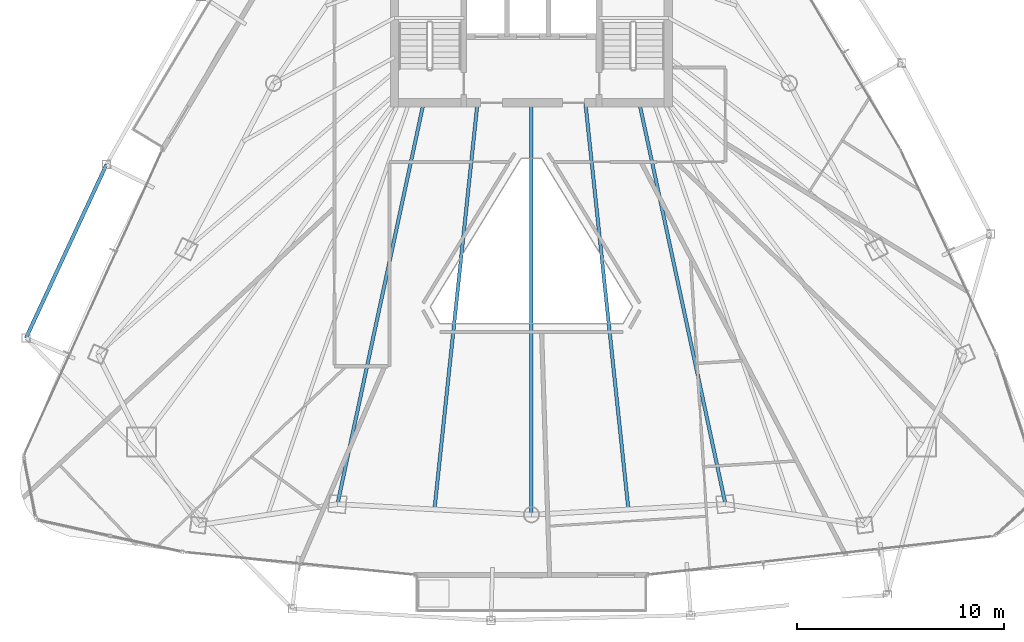
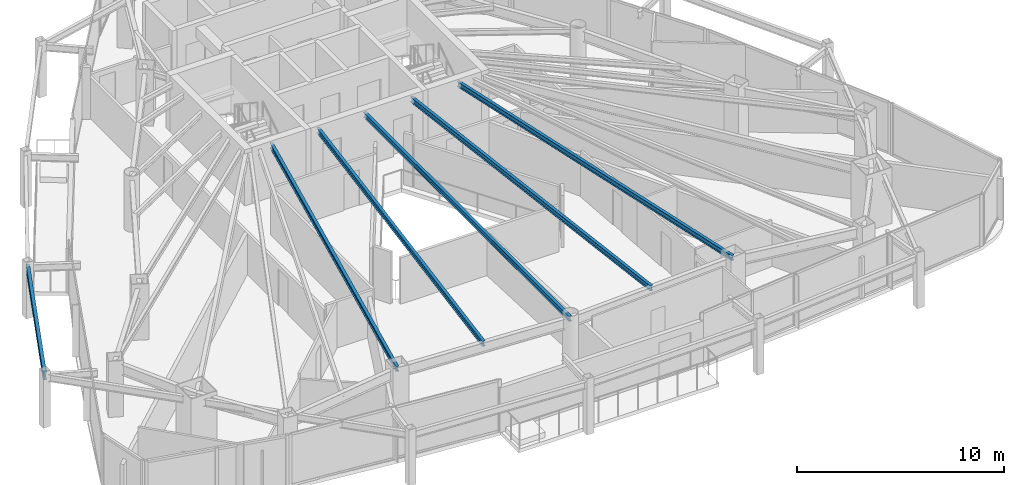
# One storey, part 9 of 29: 6 beams.
"""IFC4 building model written with IfcOpenShell, lengths in metres."""

import ifcopenshell
import ifcopenshell.guid

model = None  # the IFC model being written
_history = None  # IfcOwnerHistory: only IFC2X3 demands one
_inside = {}  # id of a spatial element -> (the spatial element, [elements in it])
_under = {}  # id of a project, library or spatial element -> (it, [spatial elements below it])
_declared = {}  # id of a project -> (the project, [libraries it declares])
_typed = {}  # id of a type object -> (the type object, [elements of that type])
_made_of = {}  # id of a material, layer set ... -> (it, [elements and type objects made of it])


def new_model(schema):
    """Start an empty IFC model of exactly this schema.

    Asked for "IFC4X3", IfcOpenShell would pick the latest addendum, in which some entities
    have other attributes; the version numbers below select the first issue.
    IFC2X3 requires an IfcOwnerHistory on every rooted entity: one is made here for all.
    """
    global model, _history
    if schema == "IFC4X3":
        model = ifcopenshell.file(schema_version=(4, 3, 0, 0))
    else:
        model = ifcopenshell.file(schema=schema)
    _inside.clear()
    _under.clear()
    _declared.clear()
    _typed.clear()
    _made_of.clear()
    _history = None
    if model.schema == "IFC2X3":
        org = make("IfcOrganization", Name="unknown")
        user = make(
            "IfcPersonAndOrganization",
            ThePerson=make("IfcPerson", FamilyName="unknown"),
            TheOrganization=org,
        )
        app = make(
            "IfcApplication",
            ApplicationDeveloper=org,
            Version="unknown",
            ApplicationFullName="unknown",
            ApplicationIdentifier="unknown",
        )
        _history = make(
            "IfcOwnerHistory",
            OwningUser=user,
            OwningApplication=app,
            ChangeAction="ADDED",
            CreationDate=0,
        )
    return model


def make(cls, **values):
    """One entity of the class cls with the attributes given. An attribute that is None is left unset."""
    return model.create_entity(
        cls, **{name: value for name, value in values.items() if value is not None}
    )


def rooted(cls, **values):
    """An entity with a GlobalId (a new one), such as an element, a storey or a relation."""
    return make(cls, GlobalId=ifcopenshell.guid.new(), OwnerHistory=_history, **values)


def si_unit(unit_type, name, prefix=None):
    """IfcSIUnit, for example si_unit("LENGTHUNIT", "METRE", prefix="MILLI")."""
    return make("IfcSIUnit", UnitType=unit_type, Prefix=prefix, Name=name)


def assignment(units):
    """IfcUnitAssignment: the units of a project."""
    return None if units is None else make("IfcUnitAssignment", Units=units)


def point(xyz):
    """IfcCartesianPoint."""
    return None if xyz is None else make("IfcCartesianPoint", Coordinates=xyz)


def direction(xyz):
    """IfcDirection."""
    return None if xyz is None else make("IfcDirection", DirectionRatios=xyz)


def frame(location, z_axis=None, x_axis=None):
    """IfcAxis2Placement3D, a coordinate frame: its origin and axes. An axis left out is left unset."""
    return make(
        "IfcAxis2Placement3D",
        Location=point(location),
        Axis=direction(z_axis),
        RefDirection=direction(x_axis),
    )


def frame_2d(location, x_axis=None):
    """IfcAxis2Placement2D, a coordinate frame in the plane: its origin and x axis."""
    return make(
        "IfcAxis2Placement2D", Location=point(location), RefDirection=direction(x_axis)
    )


def origin():
    """The frame at (0, 0, 0) with its axes left unset."""
    return frame((0.0, 0.0, 0.0))


def origin_2d():
    """The frame at (0, 0) in the plane with its x axis left unset."""
    return frame_2d((0.0, 0.0))


def place(relative_to, where):
    """IfcLocalPlacement: puts the frame where relative to a parent placement (None: the world)."""
    return make(
        "IfcLocalPlacement", PlacementRelTo=relative_to, RelativePlacement=where
    )


def context(
    kind, dimensions, precision=None, world=None, true_north=None, identifier=None
):
    """IfcGeometricRepresentationContext, for example the 3D "Model" context."""
    return make(
        "IfcGeometricRepresentationContext",
        ContextIdentifier=identifier,
        ContextType=kind,
        CoordinateSpaceDimension=dimensions,
        Precision=precision,
        WorldCoordinateSystem=world,
        TrueNorth=true_north,
    )


def subcontext(parent, identifier, kind, view, scale=None):
    """IfcGeometricRepresentationSubContext, for example "Body" below "Model"."""
    return make(
        "IfcGeometricRepresentationSubContext",
        ContextIdentifier=identifier,
        ContextType=kind,
        ParentContext=parent,
        TargetScale=scale,
        TargetView=view,
    )


def project(units=None, contexts=None):
    """IfcProject with its units and contexts."""
    return rooted(
        "IfcProject",
        Name="project",
        RepresentationContexts=contexts,
        UnitsInContext=assignment(units),
    )


def spatial(cls, under=None, at=None, **own):
    """A site, building, storey or space (cls), placed at a placement, below another one or the project."""
    s = rooted(cls, ObjectPlacement=at, **own)
    if under is not None:
        _under.setdefault(under.id(), (under, []))[1].append(s)
    return s


def profile(cls, at=None, kind="AREA", **sizes):
    """A parametric profile (cls). Its sizes go by their IFC names, for example OverallWidth=200.0."""
    return make(cls, ProfileType=kind, Position=at, **sizes)


def i_section(**sizes):
    """IfcIShapeProfileDef."""
    return profile("IfcIShapeProfileDef", **sizes)


def extrude(swept, where, along, depth):
    """IfcExtrudedAreaSolid: the profile swept, set in the frame where, extruded along a direction by depth."""
    return make(
        "IfcExtrudedAreaSolid",
        SweptArea=swept,
        Position=where,
        ExtrudedDirection=direction(along),
        Depth=depth,
    )


def shape(context_of_items, identifier, shape_type, items):
    """IfcShapeRepresentation: the items that make up one representation, for example the "Body"."""
    return make(
        "IfcShapeRepresentation",
        ContextOfItems=context_of_items,
        RepresentationIdentifier=identifier,
        RepresentationType=shape_type,
        Items=items,
    )


def material(Name=None, Category=None):
    """IfcMaterial."""
    return make("IfcMaterial", Name=Name, Category=Category)


def material_profile(
    of_material, cross_section, Name=None, Category=None, Priority=None
):
    """IfcMaterialProfile: a cross section and its material."""
    return make(
        "IfcMaterialProfile",
        Name=Name,
        Material=of_material,
        Profile=cross_section,
        Priority=Priority,
        Category=Category,
    )


def profile_set(profiles, Name=None, composite=None):
    """IfcMaterialProfileSet."""
    return make(
        "IfcMaterialProfileSet",
        Name=Name,
        MaterialProfiles=profiles,
        CompositeProfile=composite,
    )


def made_of(thing, what):
    """Note that an element or type object is made of a material, layer set ...; save() writes the relation."""
    if what is not None:
        _made_of.setdefault(what.id(), (what, []))[1].append(thing)
    return thing


def type_object(cls, material=None, **own):
    """A type object (cls), such as IfcWallType, which elements share."""
    return made_of(rooted(cls, **own), material)


def element(
    cls,
    number,
    at=None,
    inside=None,
    cuts=None,
    type_object=None,
    material=None,
    context=None,
    identifier="Body",
    shape_type=None,
    held_by="IfcProductDefinitionShape",
    body=None,
    shapes=None,
    **own,
):
    """One element of the class cls, such as IfcWall. Its Tag is "e" and its number.

    at: its placement. inside: the storey or other place that contains it. cuts: it is an
    opening in that element (IfcRelVoidsElement). A single representation is given by context,
    identifier, shape_type and body (its items); several are given by shapes. held_by: the class
    of the entity that holds the representations. save() writes the other relations.
    """
    e = rooted(cls, Tag="e%d" % number, ObjectPlacement=at, **own)
    if body is not None:
        shapes = [shape(context, identifier, shape_type, body)]
    if shapes is not None:
        e.Representation = make(held_by, Representations=shapes)
    if inside is not None:
        _inside.setdefault(inside.id(), (inside, []))[1].append(e)
    if cuts is not None:
        rooted(
            "IfcRelVoidsElement", RelatingBuildingElement=cuts, RelatedOpeningElement=e
        )
    if type_object is not None:
        _typed.setdefault(type_object.id(), (type_object, []))[1].append(e)
    return made_of(e, material)


def aggregate(whole, parts):
    """IfcRelAggregates: a whole, such as a stair, and the parts it consists of."""
    return rooted("IfcRelAggregates", RelatingObject=whole, RelatedObjects=parts)


def save(model, path):
    """Write the relations noted so far, then the file.

    IfcRelAggregates (storeys below a building ...), IfcRelContainedInSpatialStructure (elements
    in a storey), IfcRelDefinesByType, IfcRelAssociatesMaterial and IfcRelDeclares: one each for
    every whole, place, type object, material and project.
    """
    for whole, parts in _under.values():
        aggregate(whole, parts)
    for where, things in _inside.values():
        rooted(
            "IfcRelContainedInSpatialStructure",
            RelatedElements=things,
            RelatingStructure=where,
        )
    for kind, things in _typed.values():
        rooted("IfcRelDefinesByType", RelatedObjects=things, RelatingType=kind)
    for what, things in _made_of.values():
        rooted("IfcRelAssociatesMaterial", RelatedObjects=things, RelatingMaterial=what)
    for by, libraries in _declared.values():
        rooted("IfcRelDeclares", RelatingContext=by, RelatedDefinitions=libraries)
    model.write(path)


model = new_model("IFC4")

# Units and contexts
model_context = context("Model", 3, precision=1e-05, world=origin(), true_north=direction((0.0, 1.0)))
body_context = subcontext(model_context, "Body", "Model", "MODEL_VIEW")
ifc_project = project(units=[si_unit("LENGTHUNIT", "METRE"), si_unit("AREAUNIT", "SQUARE_METRE"), si_unit("VOLUMEUNIT", "CUBIC_METRE"), si_unit("PLANEANGLEUNIT", "RADIAN"), si_unit("MASSUNIT", "GRAM", prefix="KILO")], contexts=[model_context])

# Site, building, storey
site_placement = place(None, origin())
site = spatial("IfcSite", under=ifc_project, at=site_placement, CompositionType="ELEMENT")
building_placement = place(site_placement, origin())
building = spatial("IfcBuilding", under=site, at=building_placement, Name="Orvanel Arch Residences", CompositionType="ELEMENT")
storey_placement = place(building_placement, frame((0.0, 0.0, 173.75)))
storey = spatial("IfcBuildingStorey", under=building, at=storey_placement, Name="L49", CompositionType="ELEMENT", Elevation=173.75)

# Beams
ifc_material = material(Name="Structural steel AS/NZS 3679.1 Grade 300 (300 MPa)", Category="steel")
ifc_material_profile_1 = material_profile(ifc_material, i_section(OverallWidth=0.1650390625, OverallDepth=0.303955078125, WebThickness=0.006103515625, FlangeThickness=0.01025390625, at=origin_2d()), Name="310UB40.4")
ifc_profile_set_1 = profile_set([ifc_material_profile_1], Name="Structural steel AS/NZS 3679.1 Grade 300 (300 MPa)")
beam_type_1 = type_object("IfcBeamType", Name="BJ-310UB", PredefinedType="JOIST", material=ifc_profile_set_1)
for number, where, z_axis, x_axis, name in (
    (1, (27.800048828125, 26.699951171875, 2.907958984375), (-0.209808012425, -0.977742603103, 0.0), (0.977742603103, -0.209808012425, 0.0), "L49 SW Wing Floor Joist"),
    (2, (38.199951171875, 26.699951171875, 2.907958984375), (0.209808012425, -0.977742603103, 0.0), (0.977742603103, 0.209808012425, 0.0), "L49 SE Wing Floor Joist"),
):
    element("IfcBeam", number, at=place(storey_placement, frame(where, z_axis=z_axis, x_axis=x_axis)), inside=storey, type_object=beam_type_1, Name=name, PredefinedType="JOIST", context=body_context, shape_type="SweptSolid", body=[
        extrude(i_section(OverallWidth=0.1650390625, OverallDepth=0.303955078125, WebThickness=0.006103515625, FlangeThickness=0.01025390625, at=origin_2d()), origin(), (0.0, 0.0, 1.0), 19.785400390625),
    ])
beam_1_placement = place(storey_placement, frame((33.0, 26.699951171875, 2.907958984375), z_axis=(0.0, -1.0, 0.0), x_axis=(1.0, 0.0, 0.0)))
element("IfcBeam", 3, at=beam_1_placement, inside=storey, type_object=beam_type_1, Name="L49 SSW Wing Floor Joist", PredefinedType="JOIST", context=body_context, shape_type="SweptSolid", body=[
    extrude(i_section(OverallWidth=0.1650390625, OverallDepth=0.303955078125, WebThickness=0.006103515625, FlangeThickness=0.01025390625, at=origin_2d()), origin(), (0.0, 0.0, 1.0), 19.85595703125),
])
for number, where, z_axis, x_axis, name in (
    (4, (30.39990234375, 26.699951171875, 2.907958984375), (-0.105277340935, -0.994442900063, 0.0), (0.994442900063, -0.105277340935, 0.0), "L49 WSW2 Wing Floor Joist"),
    (5, (35.60009765625, 26.699951171875, 2.907958984375), (0.105277340935, -0.994442900063, 0.0), (0.994442900063, 0.105277340935, 0.0), "L49 ESE2 Wing Floor Joist"),
):
    element("IfcBeam", number, at=place(storey_placement, frame(where, z_axis=z_axis, x_axis=x_axis)), inside=storey, type_object=beam_type_1, Name=name, PredefinedType="JOIST", context=body_context, shape_type="SweptSolid", body=[
        extrude(i_section(OverallWidth=0.1650390625, OverallDepth=0.303955078125, WebThickness=0.006103515625, FlangeThickness=0.01025390625, at=origin_2d()), origin(), (0.0, 0.0, 1.0), 19.70947265625),
    ])
ifc_material_profile_2 = material_profile(ifc_material, i_section(OverallWidth=0.177978515625, OverallDepth=0.406005859375, WebThickness=0.0078125, FlangeThickness=0.0126953125, at=origin_2d()), Name="410UB59.7")
ifc_profile_set_2 = profile_set([ifc_material_profile_2], Name="Structural steel AS/NZS 3679.1 Grade 300 (300 MPa)")
beam_type_2 = type_object("IfcBeamType", Name="OB-410UB-EXT", PredefinedType="SPANDREL", material=ifc_profile_set_2)
beam_2_placement = place(storey_placement, frame((12.514892578125, 23.72802734375, 2.85693359375), z_axis=(-0.420856274406, -0.907127331907, 0.0), x_axis=(0.907127331907, -0.420856274406, 0.0)))
element("IfcBeam", 6, at=beam_2_placement, inside=storey, type_object=beam_type_2, Name="L49 Outer Perimeter Floor Ring Beam 03", PredefinedType="SPANDREL", context=body_context, shape_type="SweptSolid", body=[
    extrude(i_section(OverallWidth=0.177978515625, OverallDepth=0.406005859375, WebThickness=0.0078125, FlangeThickness=0.0126953125, at=origin_2d()), origin(), (0.0, 0.0, 1.0), 9.22607421875),
])

save(model, "model.ifc")
